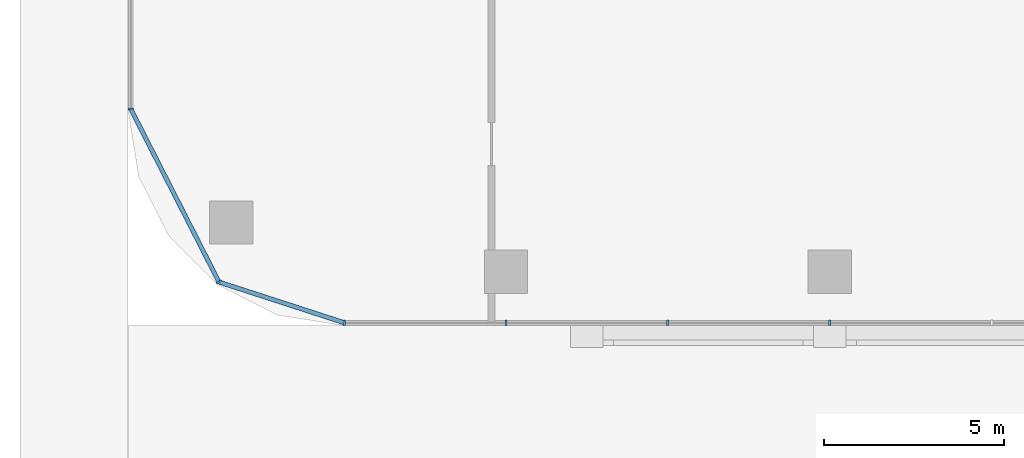
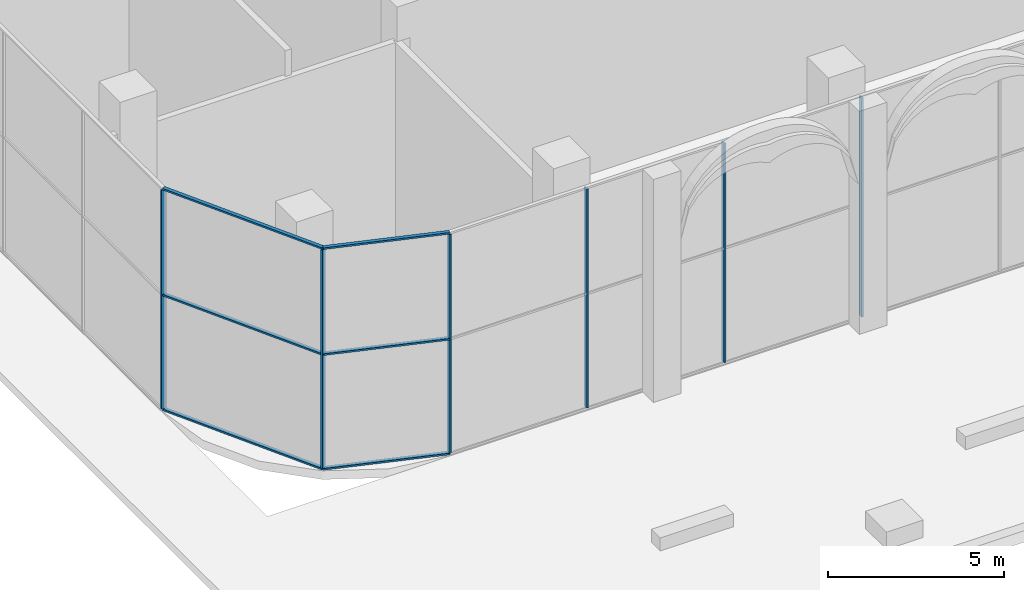
# One storey, part 3 of 54: 12 members, 3 elements without a shape of their own.
"""IFC4 building model written with IfcOpenShell, lengths in metres."""

import ifcopenshell
import ifcopenshell.guid

model = None  # the IFC model being written
_history = None  # IfcOwnerHistory: only IFC2X3 demands one
_inside = {}  # id of a spatial element -> (the spatial element, [elements in it])
_under = {}  # id of a project, library or spatial element -> (it, [spatial elements below it])
_declared = {}  # id of a project -> (the project, [libraries it declares])
_typed = {}  # id of a type object -> (the type object, [elements of that type])
_made_of = {}  # id of a material, layer set ... -> (it, [elements and type objects made of it])


def new_model(schema):
    """Start an empty IFC model of exactly this schema.

    Asked for "IFC4X3", IfcOpenShell would pick the latest addendum, in which some entities
    have other attributes; the version numbers below select the first issue.
    IFC2X3 requires an IfcOwnerHistory on every rooted entity: one is made here for all.
    """
    global model, _history
    if schema == "IFC4X3":
        model = ifcopenshell.file(schema_version=(4, 3, 0, 0))
    else:
        model = ifcopenshell.file(schema=schema)
    _inside.clear()
    _under.clear()
    _declared.clear()
    _typed.clear()
    _made_of.clear()
    _history = None
    if model.schema == "IFC2X3":
        org = make("IfcOrganization", Name="unknown")
        user = make(
            "IfcPersonAndOrganization",
            ThePerson=make("IfcPerson", FamilyName="unknown"),
            TheOrganization=org,
        )
        app = make(
            "IfcApplication",
            ApplicationDeveloper=org,
            Version="unknown",
            ApplicationFullName="unknown",
            ApplicationIdentifier="unknown",
        )
        _history = make(
            "IfcOwnerHistory",
            OwningUser=user,
            OwningApplication=app,
            ChangeAction="ADDED",
            CreationDate=0,
        )
    return model


def make(cls, **values):
    """One entity of the class cls with the attributes given. An attribute that is None is left unset."""
    return model.create_entity(
        cls, **{name: value for name, value in values.items() if value is not None}
    )


def rooted(cls, **values):
    """An entity with a GlobalId (a new one), such as an element, a storey or a relation."""
    return make(cls, GlobalId=ifcopenshell.guid.new(), OwnerHistory=_history, **values)


def si_unit(unit_type, name, prefix=None):
    """IfcSIUnit, for example si_unit("LENGTHUNIT", "METRE", prefix="MILLI")."""
    return make("IfcSIUnit", UnitType=unit_type, Prefix=prefix, Name=name)


def assignment(units):
    """IfcUnitAssignment: the units of a project."""
    return None if units is None else make("IfcUnitAssignment", Units=units)


def point(xyz):
    """IfcCartesianPoint."""
    return None if xyz is None else make("IfcCartesianPoint", Coordinates=xyz)


def direction(xyz):
    """IfcDirection."""
    return None if xyz is None else make("IfcDirection", DirectionRatios=xyz)


def frame(location, z_axis=None, x_axis=None):
    """IfcAxis2Placement3D, a coordinate frame: its origin and axes. An axis left out is left unset."""
    return make(
        "IfcAxis2Placement3D",
        Location=point(location),
        Axis=direction(z_axis),
        RefDirection=direction(x_axis),
    )


def frame_2d(location, x_axis=None):
    """IfcAxis2Placement2D, a coordinate frame in the plane: its origin and x axis."""
    return make(
        "IfcAxis2Placement2D", Location=point(location), RefDirection=direction(x_axis)
    )


def origin():
    """The frame at (0, 0, 0) with its axes left unset."""
    return frame((0.0, 0.0, 0.0))


def origin_2d():
    """The frame at (0, 0) in the plane with its x axis left unset."""
    return frame_2d((0.0, 0.0))


def place(relative_to, where):
    """IfcLocalPlacement: puts the frame where relative to a parent placement (None: the world)."""
    return make(
        "IfcLocalPlacement", PlacementRelTo=relative_to, RelativePlacement=where
    )


def context(
    kind, dimensions, precision=None, world=None, true_north=None, identifier=None
):
    """IfcGeometricRepresentationContext, for example the 3D "Model" context."""
    return make(
        "IfcGeometricRepresentationContext",
        ContextIdentifier=identifier,
        ContextType=kind,
        CoordinateSpaceDimension=dimensions,
        Precision=precision,
        WorldCoordinateSystem=world,
        TrueNorth=true_north,
    )


def subcontext(parent, identifier, kind, view, scale=None):
    """IfcGeometricRepresentationSubContext, for example "Body" below "Model"."""
    return make(
        "IfcGeometricRepresentationSubContext",
        ContextIdentifier=identifier,
        ContextType=kind,
        ParentContext=parent,
        TargetScale=scale,
        TargetView=view,
    )


def project(units=None, contexts=None):
    """IfcProject with its units and contexts."""
    return rooted(
        "IfcProject",
        Name="project",
        RepresentationContexts=contexts,
        UnitsInContext=assignment(units),
    )


def spatial(cls, under=None, at=None, **own):
    """A site, building, storey or space (cls), placed at a placement, below another one or the project."""
    s = rooted(cls, ObjectPlacement=at, **own)
    if under is not None:
        _under.setdefault(under.id(), (under, []))[1].append(s)
    return s


def profile(cls, at=None, kind="AREA", **sizes):
    """A parametric profile (cls). Its sizes go by their IFC names, for example OverallWidth=200.0."""
    return make(cls, ProfileType=kind, Position=at, **sizes)


def rectangle(**sizes):
    """IfcRectangleProfileDef."""
    return profile("IfcRectangleProfileDef", **sizes)


def extrude(swept, where, along, depth):
    """IfcExtrudedAreaSolid: the profile swept, set in the frame where, extruded along a direction by depth."""
    return make(
        "IfcExtrudedAreaSolid",
        SweptArea=swept,
        Position=where,
        ExtrudedDirection=direction(along),
        Depth=depth,
    )


def shape(context_of_items, identifier, shape_type, items):
    """IfcShapeRepresentation: the items that make up one representation, for example the "Body"."""
    return make(
        "IfcShapeRepresentation",
        ContextOfItems=context_of_items,
        RepresentationIdentifier=identifier,
        RepresentationType=shape_type,
        Items=items,
    )


def material(Name=None, Category=None):
    """IfcMaterial."""
    return make("IfcMaterial", Name=Name, Category=Category)


def material_profile(
    of_material, cross_section, Name=None, Category=None, Priority=None
):
    """IfcMaterialProfile: a cross section and its material."""
    return make(
        "IfcMaterialProfile",
        Name=Name,
        Material=of_material,
        Profile=cross_section,
        Priority=Priority,
        Category=Category,
    )


def profile_set(profiles, Name=None, composite=None):
    """IfcMaterialProfileSet."""
    return make(
        "IfcMaterialProfileSet",
        Name=Name,
        MaterialProfiles=profiles,
        CompositeProfile=composite,
    )


def made_of(thing, what):
    """Note that an element or type object is made of a material, layer set ...; save() writes the relation."""
    if what is not None:
        _made_of.setdefault(what.id(), (what, []))[1].append(thing)
    return thing


def type_object(cls, material=None, **own):
    """A type object (cls), such as IfcWallType, which elements share."""
    return made_of(rooted(cls, **own), material)


def element(
    cls,
    number,
    at=None,
    inside=None,
    cuts=None,
    type_object=None,
    material=None,
    context=None,
    identifier="Body",
    shape_type=None,
    held_by="IfcProductDefinitionShape",
    body=None,
    shapes=None,
    **own,
):
    """One element of the class cls, such as IfcWall. Its Tag is "e" and its number.

    at: its placement. inside: the storey or other place that contains it. cuts: it is an
    opening in that element (IfcRelVoidsElement). A single representation is given by context,
    identifier, shape_type and body (its items); several are given by shapes. held_by: the class
    of the entity that holds the representations. save() writes the other relations.
    """
    e = rooted(cls, Tag="e%d" % number, ObjectPlacement=at, **own)
    if body is not None:
        shapes = [shape(context, identifier, shape_type, body)]
    if shapes is not None:
        e.Representation = make(held_by, Representations=shapes)
    if inside is not None:
        _inside.setdefault(inside.id(), (inside, []))[1].append(e)
    if cuts is not None:
        rooted(
            "IfcRelVoidsElement", RelatingBuildingElement=cuts, RelatedOpeningElement=e
        )
    if type_object is not None:
        _typed.setdefault(type_object.id(), (type_object, []))[1].append(e)
    return made_of(e, material)


def aggregate(whole, parts):
    """IfcRelAggregates: a whole, such as a stair, and the parts it consists of."""
    return rooted("IfcRelAggregates", RelatingObject=whole, RelatedObjects=parts)


def save(model, path):
    """Write the relations noted so far, then the file.

    IfcRelAggregates (storeys below a building ...), IfcRelContainedInSpatialStructure (elements
    in a storey), IfcRelDefinesByType, IfcRelAssociatesMaterial and IfcRelDeclares: one each for
    every whole, place, type object, material and project.
    """
    for whole, parts in _under.values():
        aggregate(whole, parts)
    for where, things in _inside.values():
        rooted(
            "IfcRelContainedInSpatialStructure",
            RelatedElements=things,
            RelatingStructure=where,
        )
    for kind, things in _typed.values():
        rooted("IfcRelDefinesByType", RelatedObjects=things, RelatingType=kind)
    for what, things in _made_of.values():
        rooted("IfcRelAssociatesMaterial", RelatedObjects=things, RelatingMaterial=what)
    for by, libraries in _declared.values():
        rooted("IfcRelDeclares", RelatingContext=by, RelatedDefinitions=libraries)
    model.write(path)


model = new_model("IFC4")

# Units and contexts
model_context = context("Model", 3, precision=1e-05, world=origin(), true_north=direction((0.0, 1.0)))
body_context = subcontext(model_context, "Body", "Model", "MODEL_VIEW")
ifc_project = project(units=[si_unit("LENGTHUNIT", "METRE"), si_unit("AREAUNIT", "SQUARE_METRE"), si_unit("VOLUMEUNIT", "CUBIC_METRE"), si_unit("PLANEANGLEUNIT", "RADIAN"), si_unit("MASSUNIT", "GRAM", prefix="KILO")], contexts=[model_context])

# Site, building, storey
site_placement = place(None, origin())
site = spatial("IfcSite", under=ifc_project, at=site_placement, CompositionType="ELEMENT")
building_placement = place(site_placement, origin())
building = spatial("IfcBuilding", under=site, at=building_placement, Name="Ogive Portal Towers", CompositionType="ELEMENT")
storey_placement = place(building_placement, origin())
storey = spatial("IfcBuildingStorey", under=building, at=storey_placement, Name="L00", CompositionType="ELEMENT", Elevation=0.0)

# Curtain wall, members
ifc_material_1 = material(Name="Glass, clear low-iron insulated glazing", Category="glass")
curtain_wall_type = type_object("IfcCurtainWallType", Name="CW PODIUM SHOPFRONT", PredefinedType="NOTDEFINED", material=ifc_material_1)
curtain_wall_1_placement = place(storey_placement, origin())
curtain_wall_1 = element("IfcCurtainWall", 1, at=curtain_wall_1_placement, inside=storey, type_object=curtain_wall_type, Name="A:L00:f02:cw0", PredefinedType="NOTDEFINED")
ifc_material_2 = material(Name="Aluminium 6063 anodised", Category="aluminium")
ifc_material_profile_1 = material_profile(ifc_material_2, rectangle(XDim=0.159912109375, YDim=0.06005859375, at=origin_2d()), Name="AL 60x160")
ifc_profile_set_1 = profile_set([ifc_material_profile_1], Name="Aluminium 6063 anodised")
member_type_1 = type_object("IfcMemberType", Name="CW MULLION 60x160", PredefinedType="MULLION", material=ifc_profile_set_1)
member_1_placement = place(storey_placement, frame((27.0126953125, 11.080078125, 0.06005859375), z_axis=(0.0, 0.0, 1.0), x_axis=(0.0, 1.0, 0.0)))
member_1 = element("IfcMember", 2, at=member_1_placement, type_object=member_type_1, Name="mullion", PredefinedType="MULLION", context=body_context, shape_type="SweptSolid", body=[
    extrude(rectangle(XDim=0.159912109375, YDim=0.06005859375, at=origin_2d()), origin(), (0.0, 0.0, 1.0), 7.579833984375),
])
member_2_placement = place(storey_placement, frame((31.5, 11.080078125, 0.06005859375), z_axis=(0.0, 0.0, 1.0), x_axis=(0.0, 1.0, 0.0)))
member_2 = element("IfcMember", 3, at=member_2_placement, type_object=member_type_1, Name="mullion", PredefinedType="MULLION", context=body_context, shape_type="SweptSolid", body=[
    extrude(rectangle(XDim=0.159912109375, YDim=0.06005859375, at=origin_2d()), origin(), (0.0, 0.0, 1.0), 7.579833984375),
])
member_3_placement = place(storey_placement, frame((36.0, 11.080078125, 0.06005859375), z_axis=(0.0, 0.0, 1.0), x_axis=(0.0, 1.0, 0.0)))
member_3 = element("IfcMember", 4, at=member_3_placement, type_object=member_type_1, Name="mullion", PredefinedType="MULLION", context=body_context, shape_type="SweptSolid", body=[
    extrude(rectangle(XDim=0.159912109375, YDim=0.06005859375, at=origin_2d()), origin(), (0.0, 0.0, 1.0), 7.579833984375),
])
member_4_placement = place(storey_placement, frame((40.5, 11.080078125, 0.06005859375), z_axis=(0.0, 0.0, 1.0), x_axis=(0.0, 1.0, 0.0)))
member_4 = element("IfcMember", 5, at=member_4_placement, type_object=member_type_1, Name="mullion", PredefinedType="MULLION", context=body_context, shape_type="SweptSolid", body=[
    extrude(rectangle(XDim=0.159912109375, YDim=0.06005859375, at=origin_2d()), origin(), (0.0, 0.0, 1.0), 7.579833984375),
])
aggregate(curtain_wall_1, [member_1, member_2, member_3, member_4])

# Curtain wall, member
curtain_wall_2_placement = place(storey_placement, origin())
curtain_wall_2 = element("IfcCurtainWall", 6, at=curtain_wall_2_placement, inside=storey, type_object=curtain_wall_type, Name="A:L00:f17:cw3", PredefinedType="NOTDEFINED")
member_5_placement = place(storey_placement, frame((21.080078125, 17.019287109375, 0.06005859375), z_axis=(0.0, 0.0, 1.0), x_axis=(1.0, 0.0, 0.0)))
member_5 = element("IfcMember", 7, at=member_5_placement, type_object=member_type_1, Name="mullion", PredefinedType="MULLION", context=body_context, shape_type="SweptSolid", body=[
    extrude(rectangle(XDim=0.159912109375, YDim=0.06005859375, at=origin_2d()), origin(), (0.0, 0.0, 1.0), 7.579833984375),
])
aggregate(curtain_wall_2, [member_5])

# Curtain wall, members
curtain_wall_3_placement = place(storey_placement, origin())
curtain_wall_3 = element("IfcCurtainWall", 8, at=curtain_wall_3_placement, inside=storey, type_object=curtain_wall_type, Name="A:L00:f00:cwa", PredefinedType="NOTDEFINED")
member_6_placement = place(storey_placement, frame((23.529541015625, 12.211669921875, 0.06005859375), z_axis=(0.0, 0.0, 1.0), x_axis=(0.891006524188, 0.45399049974, 0.0)))
member_6 = element("IfcMember", 9, at=member_6_placement, type_object=member_type_1, Name="mullion", PredefinedType="MULLION", context=body_context, shape_type="SweptSolid", body=[
    extrude(rectangle(XDim=0.159912109375, YDim=0.06005859375, at=origin_2d()), origin(), (0.0, 0.0, 1.0), 7.579833984375),
])
ifc_material_profile_2 = material_profile(ifc_material_2, rectangle(XDim=0.1201171875, YDim=0.06005859375, at=origin_2d()), Name="AL 120x60")
ifc_profile_set_2 = profile_set([ifc_material_profile_2], Name="Aluminium 6063 anodised")
member_type_2 = type_object("IfcMemberType", Name="CW TRANSOM 60x120", PredefinedType="USERDEFINED", material=ifc_profile_set_2)
member_7_placement = place(storey_placement, frame((21.080078125, 17.019287109375, 0.030029296875), z_axis=(0.453969839149, -0.891017050983, 0.0), x_axis=(0.891017050983, 0.453969839149, 0.0)))
member_7 = element("IfcMember", 10, at=member_7_placement, type_object=member_type_2, Name="transom", ObjectType="TRANSOM", PredefinedType="USERDEFINED", context=body_context, shape_type="SweptSolid", body=[
    extrude(rectangle(XDim=0.1201171875, YDim=0.06005859375, at=origin_2d()), origin(), (0.0, 0.0, 1.0), 5.395751953125),
])
member_8_placement = place(storey_placement, frame((21.080078125, 17.019287109375, 4.0), z_axis=(0.453969839149, -0.891017050983, 0.0), x_axis=(0.891017050983, 0.453969839149, 0.0)))
member_8 = element("IfcMember", 11, at=member_8_placement, type_object=member_type_2, Name="transom", ObjectType="TRANSOM", PredefinedType="USERDEFINED", context=body_context, shape_type="SweptSolid", body=[
    extrude(rectangle(XDim=0.1201171875, YDim=0.06005859375, at=origin_2d()), origin(), (0.0, 0.0, 1.0), 5.395751953125),
])
member_9_placement = place(storey_placement, frame((21.080078125, 17.019287109375, 7.669921875), z_axis=(0.453969839149, -0.891017050983, 0.0), x_axis=(0.891017050983, 0.453969839149, 0.0)))
member_9 = element("IfcMember", 12, at=member_9_placement, type_object=member_type_2, Name="transom", ObjectType="TRANSOM", PredefinedType="USERDEFINED", context=body_context, shape_type="SweptSolid", body=[
    extrude(rectangle(XDim=0.1201171875, YDim=0.06005859375, at=origin_2d()), origin(), (0.0, 0.0, 1.0), 5.395751953125),
])
member_10_placement = place(storey_placement, frame((23.529541015625, 12.211669921875, 0.030029296875), z_axis=(0.951068844598, -0.308979049184, 0.0), x_axis=(0.308979049184, 0.951068844598, 0.0)))
member_10 = element("IfcMember", 13, at=member_10_placement, type_object=member_type_2, Name="transom", ObjectType="TRANSOM", PredefinedType="USERDEFINED", context=body_context, shape_type="SweptSolid", body=[
    extrude(rectangle(XDim=0.1201171875, YDim=0.06005859375, at=origin_2d()), origin(), (0.0, 0.0, 1.0), 3.662353515625),
])
member_11_placement = place(storey_placement, frame((23.529541015625, 12.211669921875, 4.0), z_axis=(0.951068844598, -0.308979049184, 0.0), x_axis=(0.308979049184, 0.951068844598, 0.0)))
member_11 = element("IfcMember", 14, at=member_11_placement, type_object=member_type_2, Name="transom", ObjectType="TRANSOM", PredefinedType="USERDEFINED", context=body_context, shape_type="SweptSolid", body=[
    extrude(rectangle(XDim=0.1201171875, YDim=0.06005859375, at=origin_2d()), origin(), (0.0, 0.0, 1.0), 3.662353515625),
])
member_12_placement = place(storey_placement, frame((23.529541015625, 12.211669921875, 7.669921875), z_axis=(0.951068844598, -0.308979049184, 0.0), x_axis=(0.308979049184, 0.951068844598, 0.0)))
member_12 = element("IfcMember", 15, at=member_12_placement, type_object=member_type_2, Name="transom", ObjectType="TRANSOM", PredefinedType="USERDEFINED", context=body_context, shape_type="SweptSolid", body=[
    extrude(rectangle(XDim=0.1201171875, YDim=0.06005859375, at=origin_2d()), origin(), (0.0, 0.0, 1.0), 3.662353515625),
])
aggregate(curtain_wall_3, [member_7, member_8, member_9, member_10, member_11, member_12, member_6])

save(model, "model.ifc")
